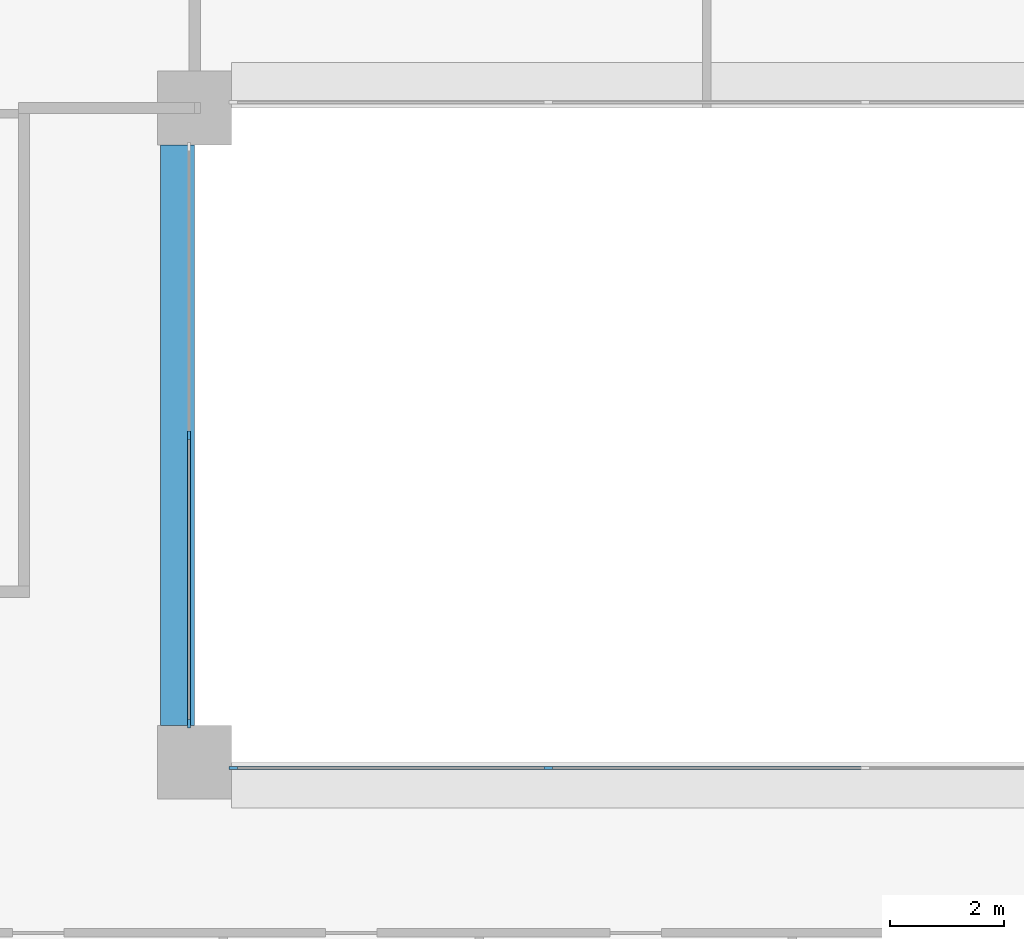
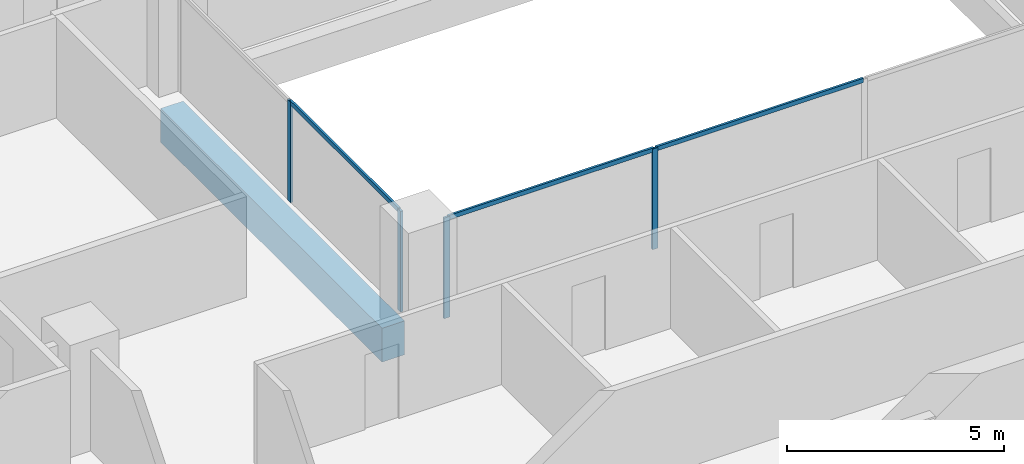
# One storey, part 2 of 16: 7 members, 1 beam, 2 elements without a shape of their own.
"""IFC4 building model written with IfcOpenShell, lengths in metres."""

from ifc_helpers import new_model, si_unit, direction, frame, origin, origin_2d, place, context, subcontext, project, spatial, rectangle, extrude, material, layer, layer_set, material_profile, profile_set, type_object, element, aggregate, save


model = new_model("IFC4")

# Units and contexts
model_context = context("Model", 3, precision=1e-05, world=origin(), true_north=direction((0.0, 1.0)))
body_context = subcontext(model_context, "Body", "Model", "MODEL_VIEW")
ifc_project = project(units=[si_unit("LENGTHUNIT", "METRE"), si_unit("AREAUNIT", "SQUARE_METRE"), si_unit("VOLUMEUNIT", "CUBIC_METRE"), si_unit("PLANEANGLEUNIT", "RADIAN"), si_unit("MASSUNIT", "GRAM", prefix="KILO")], contexts=[model_context])

# Site, building, storey
site_placement = place(None, origin())
site = spatial("IfcSite", under=ifc_project, at=site_placement, CompositionType="ELEMENT")
building_placement = place(site_placement, origin())
building = spatial("IfcBuilding", under=site, at=building_placement, Name="Brigalow Station Residences", CompositionType="ELEMENT")
storey_placement = place(building_placement, frame((0.0, 0.0, 89.85009765625)))
storey = spatial("IfcBuildingStorey", under=building, at=storey_placement, Name="L25", CompositionType="ELEMENT", Elevation=89.85009765625)

# Beam
ifc_material_1 = material(Name="Concrete C65", Category="concrete")
ifc_material_profile_1 = material_profile(ifc_material_1, rectangle(XDim=0.60009765625, YDim=0.949951171875, at=origin_2d()), Name="RC600x950")
ifc_profile_set_1 = profile_set([ifc_material_profile_1], Name="Concrete C65")
beam_type = type_object("IfcBeamType", Name="ATRIUM EDGE GIRDER 600x950 C65", PredefinedType="BEAM", material=ifc_profile_set_1)
beam_placement = place(storey_placement, frame((26.699951171875, 24.64990234375, -0.795166015625), z_axis=(0.0, 1.0, 0.0), x_axis=(-1.0, 0.0, 0.0)))
element("IfcBeam", 1, at=beam_placement, inside=storey, type_object=beam_type, Name="ATRIUM EDGE GIRDER 3 L25", PredefinedType="BEAM", context=body_context, shape_type="SweptSolid", body=[
    extrude(rectangle(XDim=0.60009765625, YDim=0.949951171875, at=origin_2d()), origin(), (0.0, 0.0, 1.0), 10.2001953125),
])

# Curtain wall, members
ifc_material_2 = material(Name="Aluminium", Category="aluminium")
ifc_layer = layer(ifc_material_2, 0.14990234375)
ifc_layer_set = layer_set([ifc_layer], Name="ATRIUM FIRE-RATED GLAZING CURTAIN WALL")
curtain_wall_type = type_object("IfcCurtainWallType", Name="ATRIUM FIRE-RATED GLAZING CURTAIN WALL", PredefinedType="NOTDEFINED", material=ifc_layer_set)
curtain_wall_1_placement = place(storey_placement, origin())
curtain_wall_1 = element("IfcCurtainWall", 2, at=curtain_wall_1_placement, inside=storey, type_object=curtain_wall_type, Name="L25/cw/atrium-S", PredefinedType="NOTDEFINED")
ifc_material_3 = material(Name="Aluminium", Category="aluminium")
ifc_material_profile_2 = material_profile(ifc_material_3, rectangle(XDim=0.06005859375, YDim=0.14990234375, at=origin_2d()), Name="ATRIUM FIRE-RATED GLAZING MULLION 60x150")
ifc_profile_set_2 = profile_set([ifc_material_profile_2], Name="Aluminium")
member_type_1 = type_object("IfcMemberType", Name="ATRIUM FIRE-RATED GLAZING MULLION 60x150", PredefinedType="MULLION", material=ifc_profile_set_2)
member_1_placement = place(storey_placement, frame((27.679931640625, 23.89990234375, 0.0), z_axis=(0.0, 0.0, 1.0), x_axis=(0.0, 1.0, 0.0)))
member_1 = element("IfcMember", 3, at=member_1_placement, type_object=member_type_1, Name="L25/cw/atrium-S/M00", PredefinedType="MULLION", context=body_context, shape_type="SweptSolid", body=[
    extrude(rectangle(XDim=0.06005859375, YDim=0.14990234375, at=origin_2d()), origin(), (0.0, 0.0, 1.0), 2.829833984375),
])
member_2_placement = place(storey_placement, frame((33.216796875, 23.89990234375, 0.0), z_axis=(0.0, 0.0, 1.0), x_axis=(0.0, 1.0, 0.0)))
member_2 = element("IfcMember", 4, at=member_2_placement, type_object=member_type_1, Name="L25/cw/atrium-S/M01", PredefinedType="MULLION", context=body_context, shape_type="SweptSolid", body=[
    extrude(rectangle(XDim=0.06005859375, YDim=0.14990234375, at=origin_2d()), origin(), (0.0, 0.0, 1.0), 2.829833984375),
])

curtain_wall_2_placement = place(storey_placement, origin())
curtain_wall_2 = element("IfcCurtainWall", 5, at=curtain_wall_2_placement, inside=storey, type_object=curtain_wall_type, Name="L25/cw/atrium-W", PredefinedType="NOTDEFINED")
member_3_placement = place(storey_placement, frame((26.89990234375, 29.75, 0.0), z_axis=(0.0, 0.0, 1.0), x_axis=(1.0, 0.0, 0.0)))
member_3 = element("IfcMember", 6, at=member_3_placement, type_object=member_type_1, Name="L25/cw/atrium-W/M01", PredefinedType="MULLION", context=body_context, shape_type="SweptSolid", body=[
    extrude(rectangle(XDim=0.06005859375, YDim=0.14990234375, at=origin_2d()), origin(), (0.0, 0.0, 1.0), 2.829833984375),
])
member_4_placement = place(storey_placement, frame((26.89990234375, 24.679931640625, 0.0), z_axis=(0.0, 0.0, 1.0), x_axis=(1.0, 0.0, 0.0)))
member_4 = element("IfcMember", 7, at=member_4_placement, type_object=member_type_1, Name="L25/cw/atrium-W/M02", PredefinedType="MULLION", context=body_context, shape_type="SweptSolid", body=[
    extrude(rectangle(XDim=0.06005859375, YDim=0.14990234375, at=origin_2d()), origin(), (0.0, 0.0, 1.0), 2.829833984375),
])

# Member
ifc_material_4 = material(Name="Aluminium", Category="aluminium")
ifc_material_profile_3 = material_profile(ifc_material_4, rectangle(XDim=0.06005859375, YDim=0.1201171875, at=origin_2d()), Name="ATRIUM FIRE-RATED GLAZING TRANSOM 60x120")
ifc_profile_set_3 = profile_set([ifc_material_profile_3], Name="Aluminium")
member_type_2 = type_object("IfcMemberType", Name="ATRIUM FIRE-RATED GLAZING TRANSOM 60x120", PredefinedType="USERDEFINED", material=ifc_profile_set_3)
member_5_placement = place(storey_placement, frame((27.7099609375, 23.89990234375, 2.7998046875), z_axis=(1.0, 0.0, 0.0), x_axis=(0.0, 1.0, 0.0)))
member_5 = element("IfcMember", 8, at=member_5_placement, type_object=member_type_2, Name="L25/cw/atrium-S/T00-00", ObjectType="TRANSOM", PredefinedType="USERDEFINED", context=body_context, shape_type="SweptSolid", body=[
    extrude(rectangle(XDim=0.06005859375, YDim=0.1201171875, at=origin_2d()), origin(), (0.0, 0.0, 1.0), 5.476806640625),
])

member_6_placement = place(storey_placement, frame((33.24658203125, 23.89990234375, 2.7998046875), z_axis=(1.0, 0.0, 0.0), x_axis=(0.0, 1.0, 0.0)))
member_6 = element("IfcMember", 9, at=member_6_placement, type_object=member_type_2, Name="L25/cw/atrium-S/T01-00", ObjectType="TRANSOM", PredefinedType="USERDEFINED", context=body_context, shape_type="SweptSolid", body=[
    extrude(rectangle(XDim=0.06005859375, YDim=0.1201171875, at=origin_2d()), origin(), (0.0, 0.0, 1.0), 5.5068359375),
])

aggregate(curtain_wall_1, [member_1, member_2, member_5, member_6])

member_7_placement = place(storey_placement, frame((26.89990234375, 29.719970703125, 2.7998046875), z_axis=(0.0, -1.0, 0.0), x_axis=(1.0, 0.0, 0.0)))
member_7 = element("IfcMember", 10, at=member_7_placement, type_object=member_type_2, Name="L25/cw/atrium-W/T01-00", ObjectType="TRANSOM", PredefinedType="USERDEFINED", context=body_context, shape_type="SweptSolid", body=[
    extrude(rectangle(XDim=0.06005859375, YDim=0.1201171875, at=origin_2d()), origin(), (0.0, 0.0, 1.0), 5.010009765625),
])

aggregate(curtain_wall_2, [member_3, member_4, member_7])

save(model, "model.ifc")
